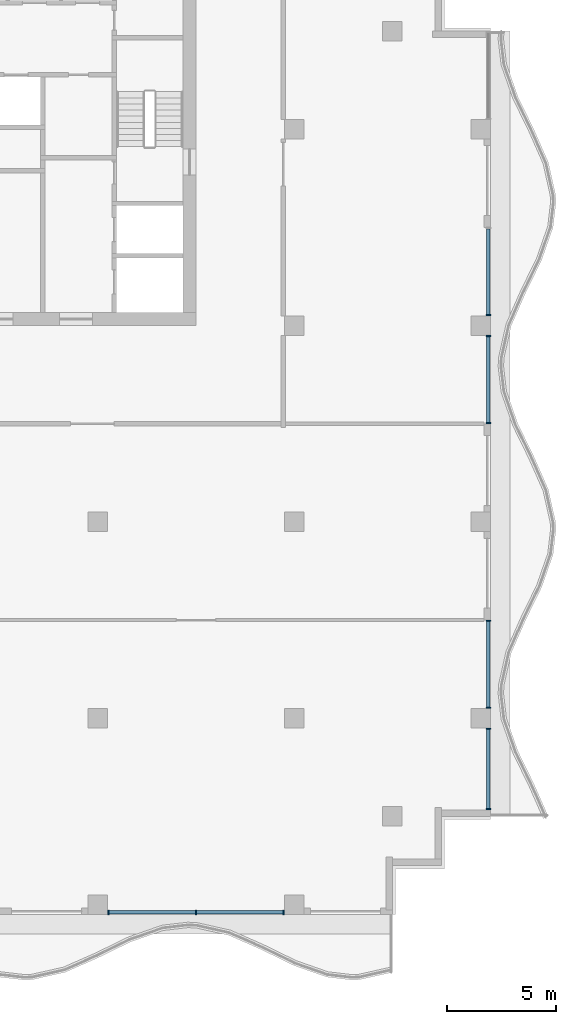
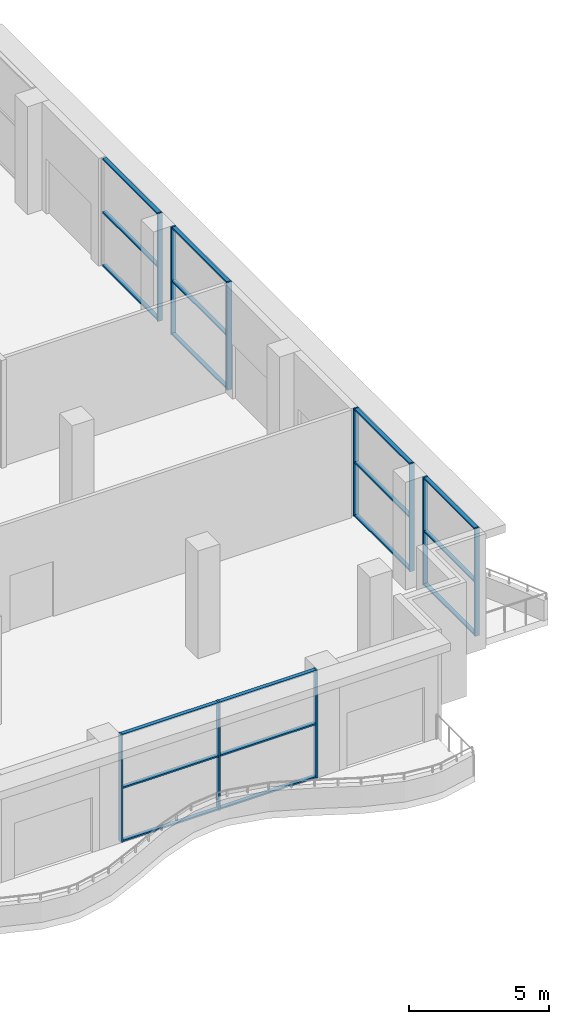
# One storey, part 3 of 14: 28 members, 5 elements without a shape of their own.
"""IFC4 building model written with IfcOpenShell, lengths in metres."""

from ifc_helpers import new_model, si_unit, direction, frame, origin, origin_2d, place, context, subcontext, project, spatial, rectangle, extrude, material, material_profile, profile_set, type_object, element, aggregate, save


model = new_model("IFC4")

# Units and contexts
model_context = context("Model", 3, precision=1e-05, world=origin(), true_north=direction((0.0, 1.0)))
body_context = subcontext(model_context, "Body", "Model", "MODEL_VIEW")
ifc_project = project(units=[si_unit("LENGTHUNIT", "METRE"), si_unit("AREAUNIT", "SQUARE_METRE"), si_unit("VOLUMEUNIT", "CUBIC_METRE"), si_unit("PLANEANGLEUNIT", "RADIAN"), si_unit("MASSUNIT", "GRAM", prefix="KILO")], contexts=[model_context])

# Site, building, storey
site_placement = place(None, origin())
site = spatial("IfcSite", under=ifc_project, at=site_placement, CompositionType="ELEMENT")
building_placement = place(site_placement, origin())
building = spatial("IfcBuilding", under=site, at=building_placement, Name="Orbiselva Terraces", CompositionType="ELEMENT")
storey_placement = place(building_placement, frame((0.0, 0.0, 284.4)))
storey = spatial("IfcBuildingStorey", under=building, at=storey_placement, Name="L72", CompositionType="ELEMENT", Elevation=284.4)

# Curtain wall, members
ifc_material_1 = material(Name="Clear low-e glazing in aluminium frame", Category="aluminium")
curtain_wall_type = type_object("IfcCurtainWallType", Name="ENV-CW-SKY", PredefinedType="NOTDEFINED", material=ifc_material_1)
curtain_wall_1_placement = place(storey_placement, origin())
curtain_wall_1 = element("IfcCurtainWall", 1, at=curtain_wall_1_placement, inside=storey, type_object=curtain_wall_type, Name="Curtain wall L72 S", PredefinedType="NOTDEFINED")
ifc_material_2 = material(Name="Anodised aluminium", Category="aluminium")
ifc_material_profile_1 = material_profile(ifc_material_2, rectangle(XDim=0.2, YDim=0.065, at=origin_2d()), Name="AL 65x200")
ifc_profile_set_1 = profile_set([ifc_material_profile_1], Name="Anodised aluminium")
member_type_1 = type_object("IfcMemberType", Name="ENV-CW-SKY-MULLION-65x200", PredefinedType="MULLION", material=ifc_profile_set_1)
member_1_placement = place(storey_placement, frame((9.4825, -22.4, 0.0), z_axis=(0.0, 0.0, 1.0), x_axis=(0.0, 1.0, 0.0)))
member_1 = element("IfcMember", 2, at=member_1_placement, type_object=member_type_1, Name="CW3 mullion 1", PredefinedType="MULLION", context=body_context, shape_type="SweptSolid", body=[
    extrude(rectangle(XDim=0.2, YDim=0.065, at=origin_2d()), origin(), (0.0, 0.0, 1.0), 4.7),
])
member_2_placement = place(storey_placement, frame((13.5, -22.4, 0.0), z_axis=(0.0, 0.0, 1.0), x_axis=(0.0, 1.0, 0.0)))
member_2 = element("IfcMember", 3, at=member_2_placement, type_object=member_type_1, Name="CW3 mullion 2", PredefinedType="MULLION", context=body_context, shape_type="SweptSolid", body=[
    extrude(rectangle(XDim=0.2, YDim=0.065, at=origin_2d()), origin(), (0.0, 0.0, 1.0), 4.7),
])
member_3_placement = place(storey_placement, frame((17.5175, -22.4, 0.0), z_axis=(0.0, 0.0, 1.0), x_axis=(0.0, 1.0, 0.0)))
member_3 = element("IfcMember", 4, at=member_3_placement, type_object=member_type_1, Name="CW3 mullion 3", PredefinedType="MULLION", context=body_context, shape_type="SweptSolid", body=[
    extrude(rectangle(XDim=0.2, YDim=0.065, at=origin_2d()), origin(), (0.0, 0.0, 1.0), 4.7),
])

curtain_wall_2_placement = place(storey_placement, origin())
curtain_wall_2 = element("IfcCurtainWall", 5, at=curtain_wall_2_placement, inside=storey, type_object=curtain_wall_type, Name="Curtain wall L72 E", PredefinedType="NOTDEFINED")
member_4_placement = place(storey_placement, frame((26.9, -17.6675, 0.0), z_axis=(0.0, 0.0, 1.0), x_axis=(-1.0, 0.0, 0.0)))
member_4 = element("IfcMember", 6, at=member_4_placement, type_object=member_type_1, Name="CW3 mullion 1", PredefinedType="MULLION", context=body_context, shape_type="SweptSolid", body=[
    extrude(rectangle(XDim=0.2, YDim=0.065, at=origin_2d()), origin(), (0.0, 0.0, 1.0), 4.7),
])
member_5_placement = place(storey_placement, frame((26.9, -13.9825, 0.0), z_axis=(0.0, 0.0, 1.0), x_axis=(-1.0, 0.0, 0.0)))
member_5 = element("IfcMember", 7, at=member_5_placement, type_object=member_type_1, Name="CW3 mullion 2", PredefinedType="MULLION", context=body_context, shape_type="SweptSolid", body=[
    extrude(rectangle(XDim=0.2, YDim=0.065, at=origin_2d()), origin(), (0.0, 0.0, 1.0), 4.7),
])

curtain_wall_3_placement = place(storey_placement, origin())
curtain_wall_3 = element("IfcCurtainWall", 8, at=curtain_wall_3_placement, inside=storey, type_object=curtain_wall_type, Name="Curtain wall L72 E", PredefinedType="NOTDEFINED")
member_6_placement = place(storey_placement, frame((26.9, -13.0175, 0.0), z_axis=(0.0, 0.0, 1.0), x_axis=(-1.0, 0.0, 0.0)))
member_6 = element("IfcMember", 9, at=member_6_placement, type_object=member_type_1, Name="CW3 mullion 1", PredefinedType="MULLION", context=body_context, shape_type="SweptSolid", body=[
    extrude(rectangle(XDim=0.2, YDim=0.065, at=origin_2d()), origin(), (0.0, 0.0, 1.0), 4.7),
])
member_7_placement = place(storey_placement, frame((26.9, -9.0325, 0.0), z_axis=(0.0, 0.0, 1.0), x_axis=(-1.0, 0.0, 0.0)))
member_7 = element("IfcMember", 10, at=member_7_placement, type_object=member_type_1, Name="CW3 mullion 2", PredefinedType="MULLION", context=body_context, shape_type="SweptSolid", body=[
    extrude(rectangle(XDim=0.2, YDim=0.065, at=origin_2d()), origin(), (0.0, 0.0, 1.0), 4.7),
])

curtain_wall_4_placement = place(storey_placement, origin())
curtain_wall_4 = element("IfcCurtainWall", 11, at=curtain_wall_4_placement, inside=storey, type_object=curtain_wall_type, Name="Curtain wall L72 E", PredefinedType="NOTDEFINED")
member_8_placement = place(storey_placement, frame((26.9, 0.0325, 0.0), z_axis=(0.0, 0.0, 1.0), x_axis=(-1.0, 0.0, 0.0)))
member_8 = element("IfcMember", 12, at=member_8_placement, type_object=member_type_1, Name="CW3 mullion 1", PredefinedType="MULLION", context=body_context, shape_type="SweptSolid", body=[
    extrude(rectangle(XDim=0.2, YDim=0.065, at=origin_2d()), origin(), (0.0, 0.0, 1.0), 4.7),
])
member_9_placement = place(storey_placement, frame((26.9, 4.0175, 0.0), z_axis=(0.0, 0.0, 1.0), x_axis=(-1.0, 0.0, 0.0)))
member_9 = element("IfcMember", 13, at=member_9_placement, type_object=member_type_1, Name="CW3 mullion 2", PredefinedType="MULLION", context=body_context, shape_type="SweptSolid", body=[
    extrude(rectangle(XDim=0.2, YDim=0.065, at=origin_2d()), origin(), (0.0, 0.0, 1.0), 4.7),
])

# Curtain wall, member
curtain_wall_5_placement = place(storey_placement, origin())
curtain_wall_5 = element("IfcCurtainWall", 14, at=curtain_wall_5_placement, inside=storey, type_object=curtain_wall_type, Name="Curtain wall L72 E", PredefinedType="NOTDEFINED")
member_10_placement = place(storey_placement, frame((26.9, 4.9825, 0.0), z_axis=(0.0, 0.0, 1.0), x_axis=(-1.0, 0.0, 0.0)))
member_10 = element("IfcMember", 15, at=member_10_placement, type_object=member_type_1, Name="CW3 mullion 1", PredefinedType="MULLION", context=body_context, shape_type="SweptSolid", body=[
    extrude(rectangle(XDim=0.2, YDim=0.065, at=origin_2d()), origin(), (0.0, 0.0, 1.0), 4.7),
])

# Member
ifc_material_profile_2 = material_profile(ifc_material_2, rectangle(XDim=0.16, YDim=0.065, at=origin_2d()), Name="AL 65x160")
ifc_profile_set_2 = profile_set([ifc_material_profile_2], Name="Anodised aluminium")
member_type_2 = type_object("IfcMemberType", Name="ENV-CW-SKY-TRANSOM-65x160", PredefinedType="USERDEFINED", material=ifc_profile_set_2)
member_11_placement = place(storey_placement, frame((9.515, -22.4, 0.0325), z_axis=(1.0, 0.0, 0.0), x_axis=(0.0, 1.0, 0.0)))
member_11 = element("IfcMember", 16, at=member_11_placement, type_object=member_type_2, Name="CW3 transom 1.1", ObjectType="TRANSOM", PredefinedType="USERDEFINED", context=body_context, shape_type="SweptSolid", body=[
    extrude(rectangle(XDim=0.16, YDim=0.065, at=origin_2d()), origin(), (0.0, 0.0, 1.0), 3.9525),
])

member_12_placement = place(storey_placement, frame((9.515, -22.4, 2.35), z_axis=(1.0, 0.0, 0.0), x_axis=(0.0, 1.0, 0.0)))
member_12 = element("IfcMember", 17, at=member_12_placement, type_object=member_type_2, Name="CW3 transom 1.2", ObjectType="TRANSOM", PredefinedType="USERDEFINED", context=body_context, shape_type="SweptSolid", body=[
    extrude(rectangle(XDim=0.16, YDim=0.065, at=origin_2d()), origin(), (0.0, 0.0, 1.0), 3.9525),
])

member_13_placement = place(storey_placement, frame((9.515, -22.4, 4.6675), z_axis=(1.0, 0.0, 0.0), x_axis=(0.0, 1.0, 0.0)))
member_13 = element("IfcMember", 18, at=member_13_placement, type_object=member_type_2, Name="CW3 transom 1.3", ObjectType="TRANSOM", PredefinedType="USERDEFINED", context=body_context, shape_type="SweptSolid", body=[
    extrude(rectangle(XDim=0.16, YDim=0.065, at=origin_2d()), origin(), (0.0, 0.0, 1.0), 3.9525),
])

member_14_placement = place(storey_placement, frame((13.5325, -22.4, 0.0325), z_axis=(1.0, 0.0, 0.0), x_axis=(0.0, 1.0, 0.0)))
member_14 = element("IfcMember", 19, at=member_14_placement, type_object=member_type_2, Name="CW3 transom 2.1", ObjectType="TRANSOM", PredefinedType="USERDEFINED", context=body_context, shape_type="SweptSolid", body=[
    extrude(rectangle(XDim=0.16, YDim=0.065, at=origin_2d()), origin(), (0.0, 0.0, 1.0), 3.9525),
])

member_15_placement = place(storey_placement, frame((13.5325, -22.4, 2.35), z_axis=(1.0, 0.0, 0.0), x_axis=(0.0, 1.0, 0.0)))
member_15 = element("IfcMember", 20, at=member_15_placement, type_object=member_type_2, Name="CW3 transom 2.2", ObjectType="TRANSOM", PredefinedType="USERDEFINED", context=body_context, shape_type="SweptSolid", body=[
    extrude(rectangle(XDim=0.16, YDim=0.065, at=origin_2d()), origin(), (0.0, 0.0, 1.0), 3.9525),
])

member_16_placement = place(storey_placement, frame((13.5325, -22.4, 4.6675), z_axis=(1.0, 0.0, 0.0), x_axis=(0.0, 1.0, 0.0)))
member_16 = element("IfcMember", 21, at=member_16_placement, type_object=member_type_2, Name="CW3 transom 2.3", ObjectType="TRANSOM", PredefinedType="USERDEFINED", context=body_context, shape_type="SweptSolid", body=[
    extrude(rectangle(XDim=0.16, YDim=0.065, at=origin_2d()), origin(), (0.0, 0.0, 1.0), 3.9525),
])

aggregate(curtain_wall_1, [member_1, member_2, member_3, member_11, member_12, member_13, member_14, member_15, member_16])

member_17_placement = place(storey_placement, frame((26.9, -17.635, 0.0325), z_axis=(0.0, 1.0, 0.0), x_axis=(-1.0, 0.0, 0.0)))
member_17 = element("IfcMember", 22, at=member_17_placement, type_object=member_type_2, Name="CW3 transom 1.1", ObjectType="TRANSOM", PredefinedType="USERDEFINED", context=body_context, shape_type="SweptSolid", body=[
    extrude(rectangle(XDim=0.16, YDim=0.065, at=origin_2d()), origin(), (0.0, 0.0, 1.0), 3.62),
])

member_18_placement = place(storey_placement, frame((26.9, -17.635, 2.35), z_axis=(0.0, 1.0, 0.0), x_axis=(-1.0, 0.0, 0.0)))
member_18 = element("IfcMember", 23, at=member_18_placement, type_object=member_type_2, Name="CW3 transom 1.2", ObjectType="TRANSOM", PredefinedType="USERDEFINED", context=body_context, shape_type="SweptSolid", body=[
    extrude(rectangle(XDim=0.16, YDim=0.065, at=origin_2d()), origin(), (0.0, 0.0, 1.0), 3.62),
])

member_19_placement = place(storey_placement, frame((26.9, -17.635, 4.6675), z_axis=(0.0, 1.0, 0.0), x_axis=(-1.0, 0.0, 0.0)))
member_19 = element("IfcMember", 24, at=member_19_placement, type_object=member_type_2, Name="CW3 transom 1.3", ObjectType="TRANSOM", PredefinedType="USERDEFINED", context=body_context, shape_type="SweptSolid", body=[
    extrude(rectangle(XDim=0.16, YDim=0.065, at=origin_2d()), origin(), (0.0, 0.0, 1.0), 3.62),
])

aggregate(curtain_wall_2, [member_4, member_5, member_17, member_18, member_19])

member_20_placement = place(storey_placement, frame((26.9, -12.985, 0.0325), z_axis=(0.0, 1.0, 0.0), x_axis=(-1.0, 0.0, 0.0)))
member_20 = element("IfcMember", 25, at=member_20_placement, type_object=member_type_2, Name="CW3 transom 1.1", ObjectType="TRANSOM", PredefinedType="USERDEFINED", context=body_context, shape_type="SweptSolid", body=[
    extrude(rectangle(XDim=0.16, YDim=0.065, at=origin_2d()), origin(), (0.0, 0.0, 1.0), 3.92),
])

member_21_placement = place(storey_placement, frame((26.9, -12.985, 2.35), z_axis=(0.0, 1.0, 0.0), x_axis=(-1.0, 0.0, 0.0)))
member_21 = element("IfcMember", 26, at=member_21_placement, type_object=member_type_2, Name="CW3 transom 1.2", ObjectType="TRANSOM", PredefinedType="USERDEFINED", context=body_context, shape_type="SweptSolid", body=[
    extrude(rectangle(XDim=0.16, YDim=0.065, at=origin_2d()), origin(), (0.0, 0.0, 1.0), 3.92),
])

member_22_placement = place(storey_placement, frame((26.9, -12.985, 4.6675), z_axis=(0.0, 1.0, 0.0), x_axis=(-1.0, 0.0, 0.0)))
member_22 = element("IfcMember", 27, at=member_22_placement, type_object=member_type_2, Name="CW3 transom 1.3", ObjectType="TRANSOM", PredefinedType="USERDEFINED", context=body_context, shape_type="SweptSolid", body=[
    extrude(rectangle(XDim=0.16, YDim=0.065, at=origin_2d()), origin(), (0.0, 0.0, 1.0), 3.92),
])

aggregate(curtain_wall_3, [member_6, member_7, member_20, member_21, member_22])

member_23_placement = place(storey_placement, frame((26.9, 0.065, 0.0325), z_axis=(0.0, 1.0, 0.0), x_axis=(-1.0, 0.0, 0.0)))
member_23 = element("IfcMember", 28, at=member_23_placement, type_object=member_type_2, Name="CW3 transom 1.1", ObjectType="TRANSOM", PredefinedType="USERDEFINED", context=body_context, shape_type="SweptSolid", body=[
    extrude(rectangle(XDim=0.16, YDim=0.065, at=origin_2d()), origin(), (0.0, 0.0, 1.0), 3.92),
])

member_24_placement = place(storey_placement, frame((26.9, 0.065, 2.35), z_axis=(0.0, 1.0, 0.0), x_axis=(-1.0, 0.0, 0.0)))
member_24 = element("IfcMember", 29, at=member_24_placement, type_object=member_type_2, Name="CW3 transom 1.2", ObjectType="TRANSOM", PredefinedType="USERDEFINED", context=body_context, shape_type="SweptSolid", body=[
    extrude(rectangle(XDim=0.16, YDim=0.065, at=origin_2d()), origin(), (0.0, 0.0, 1.0), 3.92),
])

member_25_placement = place(storey_placement, frame((26.9, 0.065, 4.6675), z_axis=(0.0, 1.0, 0.0), x_axis=(-1.0, 0.0, 0.0)))
member_25 = element("IfcMember", 30, at=member_25_placement, type_object=member_type_2, Name="CW3 transom 1.3", ObjectType="TRANSOM", PredefinedType="USERDEFINED", context=body_context, shape_type="SweptSolid", body=[
    extrude(rectangle(XDim=0.16, YDim=0.065, at=origin_2d()), origin(), (0.0, 0.0, 1.0), 3.92),
])

aggregate(curtain_wall_4, [member_8, member_9, member_23, member_24, member_25])

member_26_placement = place(storey_placement, frame((26.9, 5.015, 0.0325), z_axis=(0.0, 1.0, 0.0), x_axis=(-1.0, 0.0, 0.0)))
member_26 = element("IfcMember", 31, at=member_26_placement, type_object=member_type_2, Name="CW3 transom 1.1", ObjectType="TRANSOM", PredefinedType="USERDEFINED", context=body_context, shape_type="SweptSolid", body=[
    extrude(rectangle(XDim=0.16, YDim=0.065, at=origin_2d()), origin(), (0.0, 0.0, 1.0), 3.92),
])

member_27_placement = place(storey_placement, frame((26.9, 5.015, 2.35), z_axis=(0.0, 1.0, 0.0), x_axis=(-1.0, 0.0, 0.0)))
member_27 = element("IfcMember", 32, at=member_27_placement, type_object=member_type_2, Name="CW3 transom 1.2", ObjectType="TRANSOM", PredefinedType="USERDEFINED", context=body_context, shape_type="SweptSolid", body=[
    extrude(rectangle(XDim=0.16, YDim=0.065, at=origin_2d()), origin(), (0.0, 0.0, 1.0), 3.92),
])

member_28_placement = place(storey_placement, frame((26.9, 5.015, 4.6675), z_axis=(0.0, 1.0, 0.0), x_axis=(-1.0, 0.0, 0.0)))
member_28 = element("IfcMember", 33, at=member_28_placement, type_object=member_type_2, Name="CW3 transom 1.3", ObjectType="TRANSOM", PredefinedType="USERDEFINED", context=body_context, shape_type="SweptSolid", body=[
    extrude(rectangle(XDim=0.16, YDim=0.065, at=origin_2d()), origin(), (0.0, 0.0, 1.0), 3.92),
])

aggregate(curtain_wall_5, [member_10, member_26, member_27, member_28])

save(model, "model.ifc")
